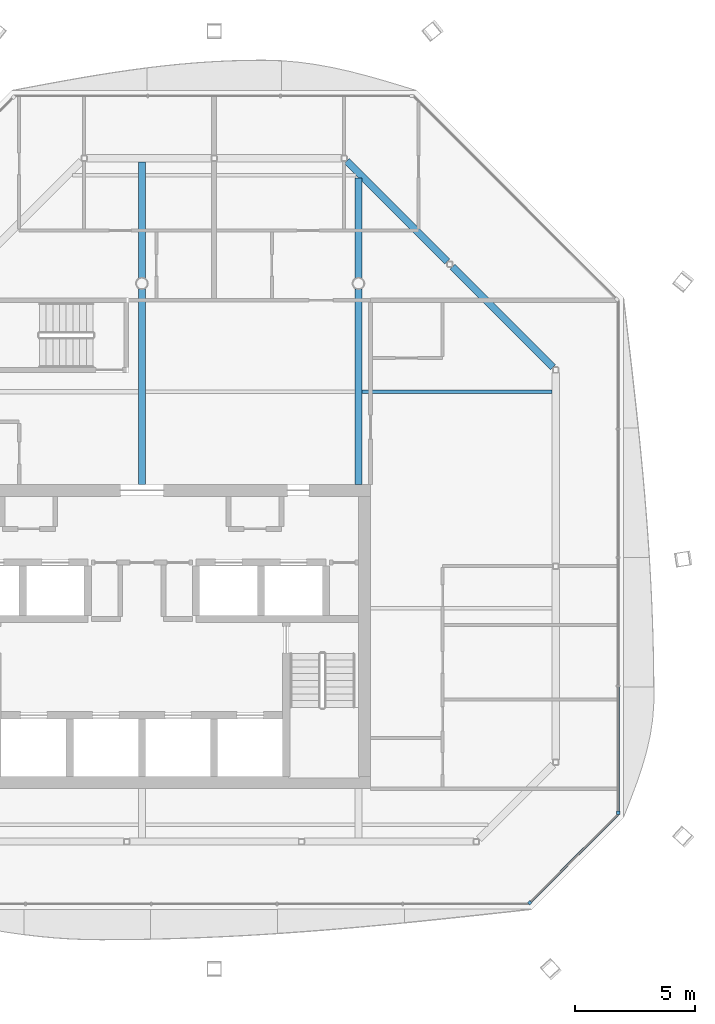
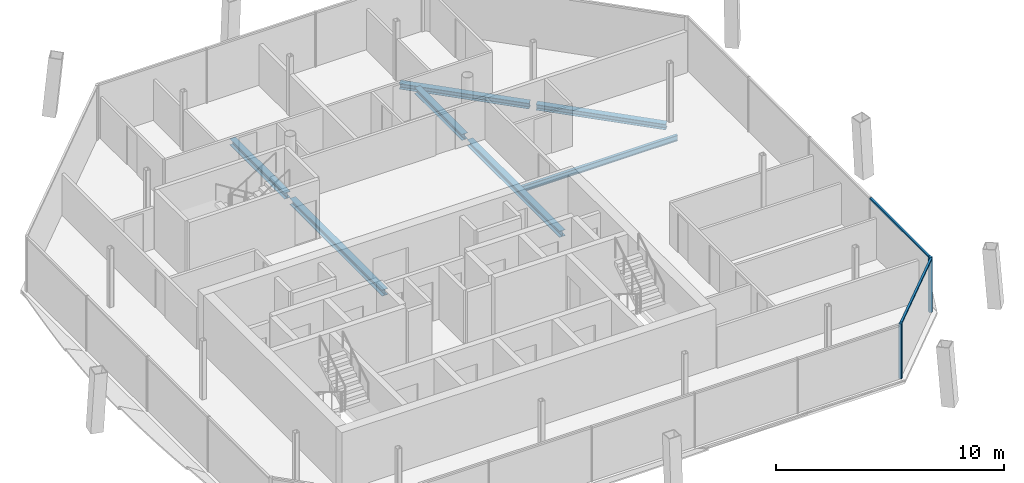
# One storey, part 6 of 16: 7 beams, 4 members, 2 elements without a shape of their own.
"""IFC4 building model written with IfcOpenShell, lengths in metres."""

import ifcopenshell
import ifcopenshell.guid

model = None  # the IFC model being written
_history = None  # IfcOwnerHistory: only IFC2X3 demands one
_inside = {}  # id of a spatial element -> (the spatial element, [elements in it])
_under = {}  # id of a project, library or spatial element -> (it, [spatial elements below it])
_declared = {}  # id of a project -> (the project, [libraries it declares])
_typed = {}  # id of a type object -> (the type object, [elements of that type])
_made_of = {}  # id of a material, layer set ... -> (it, [elements and type objects made of it])


def new_model(schema):
    """Start an empty IFC model of exactly this schema.

    Asked for "IFC4X3", IfcOpenShell would pick the latest addendum, in which some entities
    have other attributes; the version numbers below select the first issue.
    IFC2X3 requires an IfcOwnerHistory on every rooted entity: one is made here for all.
    """
    global model, _history
    if schema == "IFC4X3":
        model = ifcopenshell.file(schema_version=(4, 3, 0, 0))
    else:
        model = ifcopenshell.file(schema=schema)
    _inside.clear()
    _under.clear()
    _declared.clear()
    _typed.clear()
    _made_of.clear()
    _history = None
    if model.schema == "IFC2X3":
        org = make("IfcOrganization", Name="unknown")
        user = make(
            "IfcPersonAndOrganization",
            ThePerson=make("IfcPerson", FamilyName="unknown"),
            TheOrganization=org,
        )
        app = make(
            "IfcApplication",
            ApplicationDeveloper=org,
            Version="unknown",
            ApplicationFullName="unknown",
            ApplicationIdentifier="unknown",
        )
        _history = make(
            "IfcOwnerHistory",
            OwningUser=user,
            OwningApplication=app,
            ChangeAction="ADDED",
            CreationDate=0,
        )
    return model


def make(cls, **values):
    """One entity of the class cls with the attributes given. An attribute that is None is left unset."""
    return model.create_entity(
        cls, **{name: value for name, value in values.items() if value is not None}
    )


def rooted(cls, **values):
    """An entity with a GlobalId (a new one), such as an element, a storey or a relation."""
    return make(cls, GlobalId=ifcopenshell.guid.new(), OwnerHistory=_history, **values)


def si_unit(unit_type, name, prefix=None):
    """IfcSIUnit, for example si_unit("LENGTHUNIT", "METRE", prefix="MILLI")."""
    return make("IfcSIUnit", UnitType=unit_type, Prefix=prefix, Name=name)


def assignment(units):
    """IfcUnitAssignment: the units of a project."""
    return None if units is None else make("IfcUnitAssignment", Units=units)


def point(xyz):
    """IfcCartesianPoint."""
    return None if xyz is None else make("IfcCartesianPoint", Coordinates=xyz)


def direction(xyz):
    """IfcDirection."""
    return None if xyz is None else make("IfcDirection", DirectionRatios=xyz)


def frame(location, z_axis=None, x_axis=None):
    """IfcAxis2Placement3D, a coordinate frame: its origin and axes. An axis left out is left unset."""
    return make(
        "IfcAxis2Placement3D",
        Location=point(location),
        Axis=direction(z_axis),
        RefDirection=direction(x_axis),
    )


def frame_2d(location, x_axis=None):
    """IfcAxis2Placement2D, a coordinate frame in the plane: its origin and x axis."""
    return make(
        "IfcAxis2Placement2D", Location=point(location), RefDirection=direction(x_axis)
    )


def origin():
    """The frame at (0, 0, 0) with its axes left unset."""
    return frame((0.0, 0.0, 0.0))


def origin_2d():
    """The frame at (0, 0) in the plane with its x axis left unset."""
    return frame_2d((0.0, 0.0))


def place(relative_to, where):
    """IfcLocalPlacement: puts the frame where relative to a parent placement (None: the world)."""
    return make(
        "IfcLocalPlacement", PlacementRelTo=relative_to, RelativePlacement=where
    )


def context(
    kind, dimensions, precision=None, world=None, true_north=None, identifier=None
):
    """IfcGeometricRepresentationContext, for example the 3D "Model" context."""
    return make(
        "IfcGeometricRepresentationContext",
        ContextIdentifier=identifier,
        ContextType=kind,
        CoordinateSpaceDimension=dimensions,
        Precision=precision,
        WorldCoordinateSystem=world,
        TrueNorth=true_north,
    )


def subcontext(parent, identifier, kind, view, scale=None):
    """IfcGeometricRepresentationSubContext, for example "Body" below "Model"."""
    return make(
        "IfcGeometricRepresentationSubContext",
        ContextIdentifier=identifier,
        ContextType=kind,
        ParentContext=parent,
        TargetScale=scale,
        TargetView=view,
    )


def project(units=None, contexts=None):
    """IfcProject with its units and contexts."""
    return rooted(
        "IfcProject",
        Name="project",
        RepresentationContexts=contexts,
        UnitsInContext=assignment(units),
    )


def spatial(cls, under=None, at=None, **own):
    """A site, building, storey or space (cls), placed at a placement, below another one or the project."""
    s = rooted(cls, ObjectPlacement=at, **own)
    if under is not None:
        _under.setdefault(under.id(), (under, []))[1].append(s)
    return s


def profile(cls, at=None, kind="AREA", **sizes):
    """A parametric profile (cls). Its sizes go by their IFC names, for example OverallWidth=200.0."""
    return make(cls, ProfileType=kind, Position=at, **sizes)


def rectangle(**sizes):
    """IfcRectangleProfileDef."""
    return profile("IfcRectangleProfileDef", **sizes)


def i_section(**sizes):
    """IfcIShapeProfileDef."""
    return profile("IfcIShapeProfileDef", **sizes)


def extrude(swept, where, along, depth):
    """IfcExtrudedAreaSolid: the profile swept, set in the frame where, extruded along a direction by depth."""
    return make(
        "IfcExtrudedAreaSolid",
        SweptArea=swept,
        Position=where,
        ExtrudedDirection=direction(along),
        Depth=depth,
    )


def shape(context_of_items, identifier, shape_type, items):
    """IfcShapeRepresentation: the items that make up one representation, for example the "Body"."""
    return make(
        "IfcShapeRepresentation",
        ContextOfItems=context_of_items,
        RepresentationIdentifier=identifier,
        RepresentationType=shape_type,
        Items=items,
    )


def material(Name=None, Category=None):
    """IfcMaterial."""
    return make("IfcMaterial", Name=Name, Category=Category)


def material_profile(
    of_material, cross_section, Name=None, Category=None, Priority=None
):
    """IfcMaterialProfile: a cross section and its material."""
    return make(
        "IfcMaterialProfile",
        Name=Name,
        Material=of_material,
        Profile=cross_section,
        Priority=Priority,
        Category=Category,
    )


def profile_set(profiles, Name=None, composite=None):
    """IfcMaterialProfileSet."""
    return make(
        "IfcMaterialProfileSet",
        Name=Name,
        MaterialProfiles=profiles,
        CompositeProfile=composite,
    )


def made_of(thing, what):
    """Note that an element or type object is made of a material, layer set ...; save() writes the relation."""
    if what is not None:
        _made_of.setdefault(what.id(), (what, []))[1].append(thing)
    return thing


def type_object(cls, material=None, **own):
    """A type object (cls), such as IfcWallType, which elements share."""
    return made_of(rooted(cls, **own), material)


def element(
    cls,
    number,
    at=None,
    inside=None,
    cuts=None,
    type_object=None,
    material=None,
    context=None,
    identifier="Body",
    shape_type=None,
    held_by="IfcProductDefinitionShape",
    body=None,
    shapes=None,
    **own,
):
    """One element of the class cls, such as IfcWall. Its Tag is "e" and its number.

    at: its placement. inside: the storey or other place that contains it. cuts: it is an
    opening in that element (IfcRelVoidsElement). A single representation is given by context,
    identifier, shape_type and body (its items); several are given by shapes. held_by: the class
    of the entity that holds the representations. save() writes the other relations.
    """
    e = rooted(cls, Tag="e%d" % number, ObjectPlacement=at, **own)
    if body is not None:
        shapes = [shape(context, identifier, shape_type, body)]
    if shapes is not None:
        e.Representation = make(held_by, Representations=shapes)
    if inside is not None:
        _inside.setdefault(inside.id(), (inside, []))[1].append(e)
    if cuts is not None:
        rooted(
            "IfcRelVoidsElement", RelatingBuildingElement=cuts, RelatedOpeningElement=e
        )
    if type_object is not None:
        _typed.setdefault(type_object.id(), (type_object, []))[1].append(e)
    return made_of(e, material)


def aggregate(whole, parts):
    """IfcRelAggregates: a whole, such as a stair, and the parts it consists of."""
    return rooted("IfcRelAggregates", RelatingObject=whole, RelatedObjects=parts)


def save(model, path):
    """Write the relations noted so far, then the file.

    IfcRelAggregates (storeys below a building ...), IfcRelContainedInSpatialStructure (elements
    in a storey), IfcRelDefinesByType, IfcRelAssociatesMaterial and IfcRelDeclares: one each for
    every whole, place, type object, material and project.
    """
    for whole, parts in _under.values():
        aggregate(whole, parts)
    for where, things in _inside.values():
        rooted(
            "IfcRelContainedInSpatialStructure",
            RelatedElements=things,
            RelatingStructure=where,
        )
    for kind, things in _typed.values():
        rooted("IfcRelDefinesByType", RelatedObjects=things, RelatingType=kind)
    for what, things in _made_of.values():
        rooted("IfcRelAssociatesMaterial", RelatedObjects=things, RelatingMaterial=what)
    for by, libraries in _declared.values():
        rooted("IfcRelDeclares", RelatingContext=by, RelatedDefinitions=libraries)
    model.write(path)


model = new_model("IFC4")

# Units and contexts
model_context = context("Model", 3, precision=1e-05, world=origin(), true_north=direction((0.0, 1.0)))
body_context = subcontext(model_context, "Body", "Model", "MODEL_VIEW")
ifc_project = project(units=[si_unit("LENGTHUNIT", "METRE"), si_unit("AREAUNIT", "SQUARE_METRE"), si_unit("VOLUMEUNIT", "CUBIC_METRE"), si_unit("PLANEANGLEUNIT", "RADIAN"), si_unit("MASSUNIT", "GRAM", prefix="KILO")], contexts=[model_context])

# Site, building, storey
site_placement = place(None, origin())
site = spatial("IfcSite", under=ifc_project, at=site_placement, CompositionType="ELEMENT")
building_placement = place(site_placement, origin())
building = spatial("IfcBuilding", under=site, at=building_placement, Name="Tskaro Facet Tower", CompositionType="ELEMENT")
storey_placement = place(building_placement, frame((0.0, 0.0, 265.800048828125)))
storey = spatial("IfcBuildingStorey", under=building, at=storey_placement, Name="L70", CompositionType="ELEMENT", Elevation=265.800048828125)

# Curtain wall, member
ifc_material_1 = material(Name="Bronze anodised aluminium 6063-T6", Category="aluminium")
curtain_wall_type = type_object("IfcCurtainWallType", Name="Bronze residence curtain wall (FW3)", PredefinedType="NOTDEFINED", material=ifc_material_1)
curtain_wall_1_placement = place(storey_placement, origin())
curtain_wall_1 = element("IfcCurtainWall", 1, at=curtain_wall_1_placement, inside=storey, type_object=curtain_wall_type, Name="FW3 south-east facet L70", PredefinedType="NOTDEFINED")
ifc_material_profile_1 = material_profile(ifc_material_1, rectangle(XDim=0.139892578125, YDim=0.139892578125, at=origin_2d()), Name="Corner post 140x140")
ifc_profile_set_1 = profile_set([ifc_material_profile_1], Name="Bronze anodised aluminium 6063-T6")
member_type_1 = type_object("IfcMemberType", Name="FW3 bronze corner post 140x140", PredefinedType="MULLION", material=ifc_profile_set_1)
member_1_placement = place(storey_placement, frame((16.119384765625, -16.743408203125, 0.0), z_axis=(0.0, 0.0, 1.0), x_axis=(0.707106781187, 0.707106781187, 0.0)))
member_1 = element("IfcMember", 2, at=member_1_placement, type_object=member_type_1, Name="FW3 south-east corner post", PredefinedType="MULLION", context=body_context, shape_type="SweptSolid", body=[
    extrude(rectangle(XDim=0.139892578125, YDim=0.139892578125, at=origin_2d()), origin(), (0.0, 0.0, 1.0), 2.949951171875),
])

curtain_wall_2_placement = place(storey_placement, origin())
curtain_wall_2 = element("IfcCurtainWall", 3, at=curtain_wall_2_placement, inside=storey, type_object=curtain_wall_type, Name="FW3 east facet L70", PredefinedType="NOTDEFINED")
member_2_placement = place(storey_placement, frame((19.79296875, -13.0, 0.0), z_axis=(0.0, 0.0, 1.0), x_axis=(0.0, 1.0, 0.0)))
member_2 = element("IfcMember", 4, at=member_2_placement, type_object=member_type_1, Name="FW3 east corner post", PredefinedType="MULLION", context=body_context, shape_type="SweptSolid", body=[
    extrude(rectangle(XDim=0.139892578125, YDim=0.139892578125, at=origin_2d()), origin(), (0.0, 0.0, 1.0), 2.949951171875),
])

# Member
ifc_material_profile_2 = material_profile(ifc_material_1, rectangle(XDim=0.10009765625, YDim=0.090087890625, at=origin_2d()), Name="Transom 100x90")
ifc_profile_set_2 = profile_set([ifc_material_profile_2], Name="Bronze anodised aluminium 6063-T6")
member_type_2 = type_object("IfcMemberType", Name="FW3 bronze transom 100x90", PredefinedType="USERDEFINED", material=ifc_profile_set_2)
member_3_placement = place(storey_placement, frame((16.1689453125, -16.694091796875, 2.905029296875), z_axis=(0.707106781187, 0.707106781187, 0.0), x_axis=(-0.707106781187, 0.707106781187, 0.0)))
member_3 = element("IfcMember", 5, at=member_3_placement, type_object=member_type_2, Name="FW3 south-east transom 1.1", ObjectType="TRANSOM", PredefinedType="USERDEFINED", context=body_context, shape_type="SweptSolid", body=[
    extrude(rectangle(XDim=0.10009765625, YDim=0.090087890625, at=origin_2d()), origin(), (0.0, 0.0, 1.0), 5.125244140625),
])

aggregate(curtain_wall_1, [member_1, member_3])

member_4_placement = place(storey_placement, frame((19.79296875, -12.929931640625, 2.905029296875), z_axis=(0.0, 1.0, 0.0), x_axis=(-1.0, 0.0, 0.0)))
member_4 = element("IfcMember", 6, at=member_4_placement, type_object=member_type_2, Name="FW3 east transom 1.1", ObjectType="TRANSOM", PredefinedType="USERDEFINED", context=body_context, shape_type="SweptSolid", body=[
    extrude(rectangle(XDim=0.10009765625, YDim=0.090087890625, at=origin_2d()), origin(), (0.0, 0.0, 1.0), 5.174072265625),
])

aggregate(curtain_wall_2, [member_2, member_4])

# Beams
ifc_material_2 = material(Name="Steel S355J2", Category="steel")
ifc_material_profile_3 = material_profile(ifc_material_2, i_section(OverallWidth=0.300048828125, OverallDepth=0.300048828125, WebThickness=0.010986328125, FlangeThickness=0.01904296875, FilletRadius=0.027099609375, at=origin_2d()), Name="HE 300 B")
ifc_profile_set_3 = profile_set([ifc_material_profile_3], Name="Steel S355J2")
beam_type_1 = type_object("IfcBeamType", Name="HE 300 B ring beam", PredefinedType="BEAM", material=ifc_profile_set_3)
for number, where, z_axis, x_axis, name in (
    (7, (17.089111328125, 5.513916015625, -0.2900390625), (-0.707024112481, 0.707189440228, 0.0), (-0.707189440228, -0.707024112481, 0.0), "HE 300 B EB7-6"),
    (8, (12.691162109375, 9.912841796875, -0.2900390625), (-0.707189440228, 0.707024112481, 0.0), (-0.707024112481, -0.707189440228, 0.0), "HE 300 B EB8-6"),
):
    element("IfcBeam", number, at=place(storey_placement, frame(where, z_axis=z_axis, x_axis=x_axis)), inside=storey, type_object=beam_type_1, Name=name, PredefinedType="BEAM", context=body_context, shape_type="SweptSolid", body=[
        extrude(i_section(OverallWidth=0.300048828125, OverallDepth=0.300048828125, WebThickness=0.010986328125, FlangeThickness=0.01904296875, FilletRadius=0.027099609375, at=origin_2d()), origin(), (0.0, 0.0, 1.0), 5.90673828125),
    ])
ifc_material_profile_4 = material_profile(ifc_material_2, i_section(OverallWidth=0.300048828125, OverallDepth=0.330078125, WebThickness=0.009521484375, FlangeThickness=0.0166015625, FilletRadius=0.027099609375, at=origin_2d()), Name="HE 340 A")
ifc_profile_set_4 = profile_set([ifc_material_profile_4], Name="Steel S355J2")
beam_type_2 = type_object("IfcBeamType", Name="HE 340 A girder", PredefinedType="BEAM", material=ifc_profile_set_4)
beam_1_placement = place(storey_placement, frame((0.0, 0.64990234375, -0.304931640625), z_axis=(0.0, 1.0, 0.0), x_axis=(-1.0, 0.0, 0.0)))
element("IfcBeam", 9, at=beam_1_placement, inside=storey, type_object=beam_type_2, Name="HE 340 A GB4-2-6", PredefinedType="BEAM", context=body_context, shape_type="SweptSolid", body=[
    extrude(i_section(OverallWidth=0.300048828125, OverallDepth=0.330078125, WebThickness=0.009521484375, FlangeThickness=0.0166015625, FilletRadius=0.027099609375, at=origin_2d()), origin(), (0.0, 0.0, 1.0), 8.1259765625),
])
beam_2_placement = place(storey_placement, frame((0.0, 9.22412109375, -0.304931640625), z_axis=(0.0, 1.0, 0.0), x_axis=(-1.0, 0.0, 0.0)))
element("IfcBeam", 10, at=beam_2_placement, inside=storey, type_object=beam_type_2, Name="HE 340 A GB4-3-6", PredefinedType="BEAM", context=body_context, shape_type="SweptSolid", body=[
    extrude(i_section(OverallWidth=0.300048828125, OverallDepth=0.330078125, WebThickness=0.009521484375, FlangeThickness=0.0166015625, FilletRadius=0.027099609375, at=origin_2d()), origin(), (0.0, 0.0, 1.0), 4.825927734375),
])
beam_3_placement = place(storey_placement, frame((9.0, 0.64990234375, -0.304931640625), z_axis=(0.0, 1.0, 0.0), x_axis=(-1.0, 0.0, 0.0)))
element("IfcBeam", 11, at=beam_3_placement, inside=storey, type_object=beam_type_2, Name="HE 340 A GB5-2-6", PredefinedType="BEAM", context=body_context, shape_type="SweptSolid", body=[
    extrude(i_section(OverallWidth=0.300048828125, OverallDepth=0.330078125, WebThickness=0.009521484375, FlangeThickness=0.0166015625, FilletRadius=0.027099609375, at=origin_2d()), origin(), (0.0, 0.0, 1.0), 8.1259765625),
])
beam_4_placement = place(storey_placement, frame((9.0, 9.22412109375, -0.304931640625), z_axis=(0.0, 1.0, 0.0), x_axis=(-1.0, 0.0, 0.0)))
element("IfcBeam", 12, at=beam_4_placement, inside=storey, type_object=beam_type_2, Name="HE 340 A GB5-3-6", PredefinedType="BEAM", context=body_context, shape_type="SweptSolid", body=[
    extrude(i_section(OverallWidth=0.300048828125, OverallDepth=0.330078125, WebThickness=0.009521484375, FlangeThickness=0.0166015625, FilletRadius=0.027099609375, at=origin_2d()), origin(), (0.0, 0.0, 1.0), 4.1669921875),
])
ifc_material_profile_5 = material_profile(ifc_material_2, i_section(OverallWidth=0.14990234375, OverallDepth=0.300048828125, WebThickness=0.007080078125, FlangeThickness=0.0107421875, FilletRadius=0.014892578125, at=origin_2d()), Name="IPE 300")
ifc_profile_set_5 = profile_set([ifc_material_profile_5], Name="Steel S355J2")
beam_type_3 = type_object("IfcBeamType", Name="IPE 300 secondary beam", PredefinedType="BEAM", material=ifc_profile_set_5)
beam_5_placement = place(storey_placement, frame((9.14990234375, 4.5, -0.2900390625), z_axis=(1.0, 0.0, 0.0), x_axis=(0.0, 1.0, 0.0)))
element("IfcBeam", 13, at=beam_5_placement, inside=storey, type_object=beam_type_3, Name="IPE 300 SB4a-3-6", PredefinedType="BEAM", context=body_context, shape_type="SweptSolid", body=[
    extrude(i_section(OverallWidth=0.14990234375, OverallDepth=0.300048828125, WebThickness=0.007080078125, FlangeThickness=0.0107421875, FilletRadius=0.014892578125, at=origin_2d()), origin(), (0.0, 0.0, 1.0), 7.900146484375),
])

save(model, "model.ifc")
